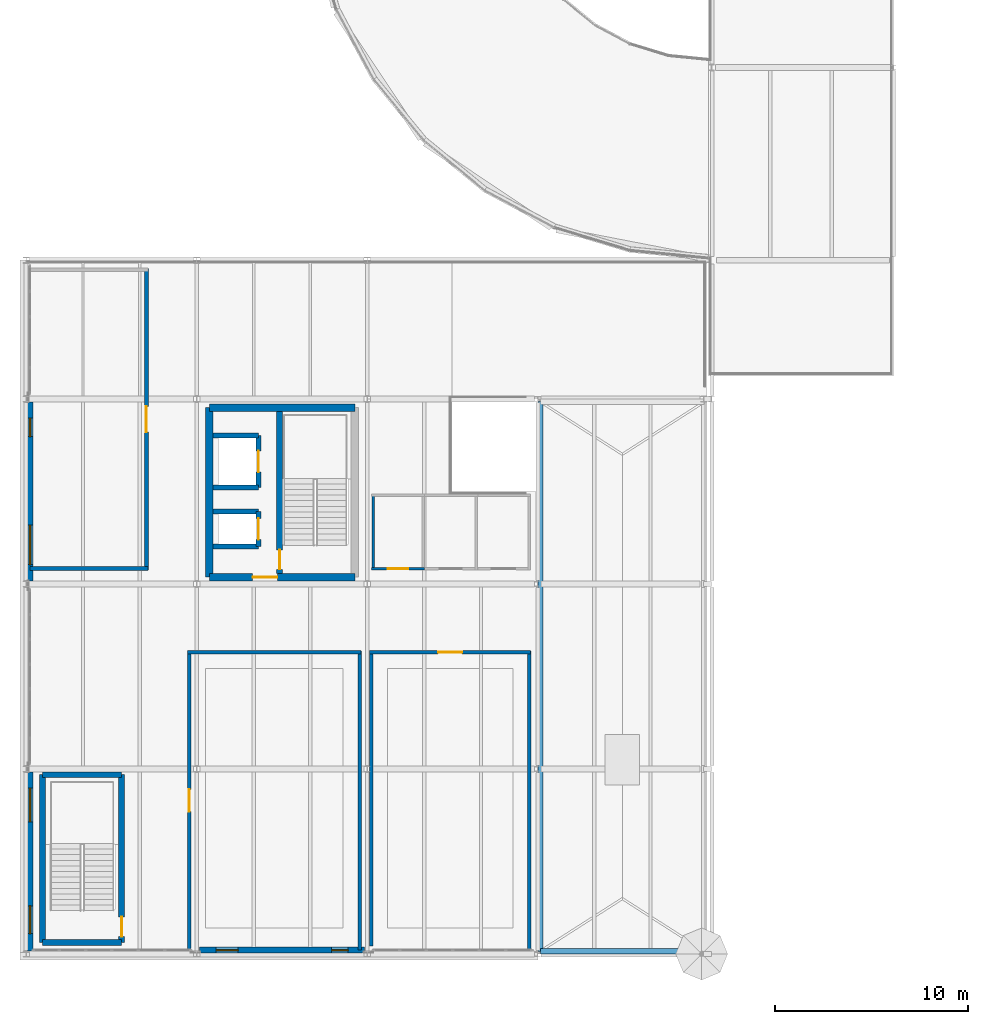
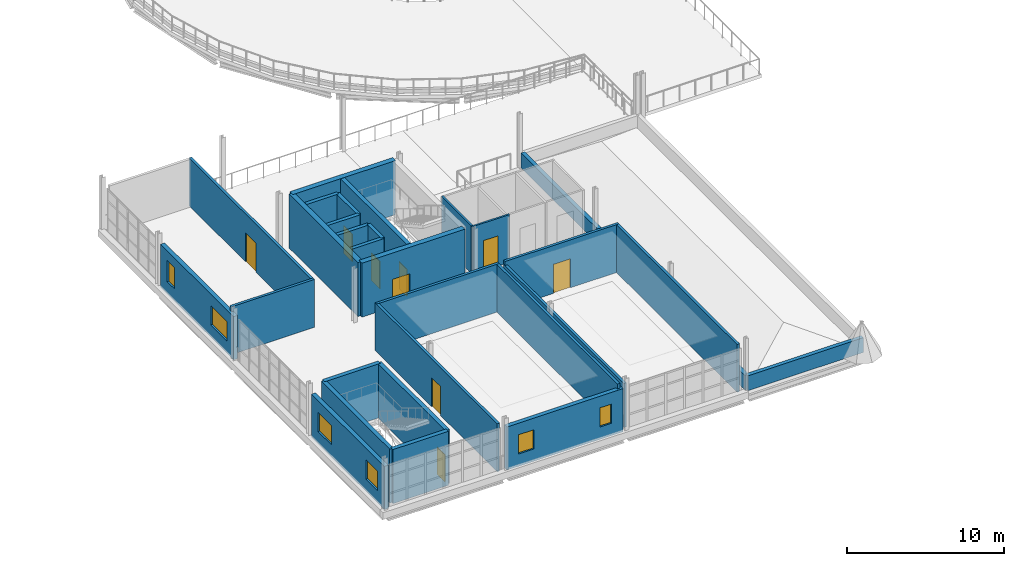
# One storey, part 44 of 58: 29 walls, 9 doors, 6 windows, 15 openings.
"""IFC4 building model written with IfcOpenShell, lengths in metres."""

from ifc_helpers import new_model, si_unit, direction, frame, frame_2d, origin, place, context, subcontext, project, spatial, rectangle, extrude, material, layer, layer_set, type_object, element, fill, save


model = new_model("IFC4")

# Units and contexts
model_context = context("Model", 3, precision=1e-05, world=origin(), true_north=direction((0.0, 1.0)))
body_context = subcontext(model_context, "Body", "Model", "MODEL_VIEW")
ifc_project = project(units=[si_unit("LENGTHUNIT", "METRE"), si_unit("AREAUNIT", "SQUARE_METRE"), si_unit("VOLUMEUNIT", "CUBIC_METRE"), si_unit("PLANEANGLEUNIT", "RADIAN"), si_unit("MASSUNIT", "GRAM", prefix="KILO")], contexts=[model_context])

# Site, building, storey
site_placement = place(None, origin())
site = spatial("IfcSite", under=ifc_project, at=site_placement, CompositionType="ELEMENT")
building_placement = place(site_placement, origin())
building = spatial("IfcBuilding", under=site, at=building_placement, Name="Yeouljin Market Hall", CompositionType="ELEMENT")
storey_placement = place(building_placement, frame((0.0, 0.0, 10.800048828125)))
storey = spatial("IfcBuildingStorey", under=building, at=storey_placement, Name="L02", CompositionType="ELEMENT", Elevation=10.800048828125)

# Wall, opening, door
ifc_material_1 = material(Name="Ceramic-Faced Acoustic Partition")
ifc_layer_1 = layer(ifc_material_1, 0.18994140625)
ifc_layer_set_1 = layer_set([ifc_layer_1], Name="Ceramic-Faced Acoustic Partition")
wall_type_1 = type_object("IfcWallType", Name="Part_KitchenTile_190", PredefinedType="PARTITIONING", material=ifc_layer_set_1)
wall_1_placement = place(storey_placement, frame((8.4599609375, 15.72998046875, 0.0), z_axis=(0.0, 0.0, 1.0), x_axis=(0.0, -1.0, 0.0)))
wall_1 = element("IfcWall", 1, at=wall_1_placement, inside=storey, type_object=wall_type_1, Name="Interior partition PART-L02-0115", PredefinedType="PARTITIONING", context=body_context, shape_type="SweptSolid", body=[
    extrude(rectangle(XDim=15.530029296875, YDim=0.18994140625, at=frame_2d((7.76513671875, 0.0))), origin(), (0.0, 0.0, 1.0), 3.719970703125),
])
opening_1_placement = place(wall_1_placement, frame((7.18505859375, 0.0, 0.0)))
opening_1 = element("IfcOpeningElement", 2, at=opening_1_placement, cuts=wall_1, Name="Opening D-L02-036", PredefinedType="OPENING", context=body_context, shape_type="SweptSolid", body=[
    extrude(rectangle(XDim=1.159912109375, YDim=2.260009765625, at=frame_2d((0.580078125, 1.1298828125))), frame((0.0, 0.10498046875, 0.0), z_axis=(0.0, -1.0, 0.0), x_axis=(1.0, 0.0, 0.0)), (0.0, 0.0, 1.0), 0.2099609375),
])
ifc_material_2 = material(Name="Painted Fire-Rated Steel", Category="steel")
door_type_1 = type_object("IfcDoorType", Name="DT-FD116M", OperationType="NOTDEFINED", PredefinedType="DOOR", material=ifc_material_2)
door_1_placement = place(opening_1_placement, origin())
door_1 = element("IfcDoor", 3, at=door_1_placement, inside=storey, type_object=door_type_1, Name="Interior door D-L02-036 (Culinary Teaching Kitchen West)", OperationType="SINGLE_SWING_RIGHT", OverallHeight=2.260009765625, OverallWidth=1.159912109375, PredefinedType="DOOR", context=body_context, shape_type="SweptSolid", body=[
    extrude(rectangle(XDim=1.159912109375, YDim=2.260009765625, at=frame_2d((0.580078125, 1.1298828125))), frame((0.0, 0.02490234375, 0.0), z_axis=(0.0, -1.0, 0.0), x_axis=(1.0, 0.0, 0.0)), (0.0, 0.0, 1.0), 0.050048828125),
])
fill(opening_1, door_1)

# Walls
wall_2_placement = place(storey_placement, frame((17.3798828125, 15.64990234375, 0.0), z_axis=(0.0, 0.0, 1.0), x_axis=(-1.0, 0.0, 0.0)))
element("IfcWall", 4, at=wall_2_placement, inside=storey, type_object=wall_type_1, Name="Interior partition PART-L02-0116", PredefinedType="PARTITIONING", context=body_context, shape_type="SweptSolid", body=[
    extrude(rectangle(XDim=9.0, YDim=0.18994140625, at=frame_2d((4.5, 0.0))), origin(), (0.0, 0.0, 1.0), 3.719970703125),
])
wall_3_placement = place(storey_placement, frame((17.300048828125, 0.199951171875, 0.0), z_axis=(0.0, 0.0, 1.0), x_axis=(0.0, 1.0, 0.0)))
element("IfcWall", 5, at=wall_3_placement, inside=storey, type_object=wall_type_1, Name="Interior partition PART-L02-0117", PredefinedType="PARTITIONING", context=body_context, shape_type="SweptSolid", body=[
    extrude(rectangle(XDim=15.530029296875, YDim=0.18994140625, at=frame_2d((7.76513671875, 0.0))), origin(), (0.0, 0.0, 1.0), 3.719970703125),
])

# Wall, opening, door
wall_4_placement = place(storey_placement, frame((26.179931640625, 15.64990234375, 0.0), z_axis=(0.0, 0.0, 1.0), x_axis=(-1.0, 0.0, 0.0)))
wall_4 = element("IfcWall", 6, at=wall_4_placement, inside=storey, type_object=wall_type_1, Name="Interior partition PART-L02-0118", PredefinedType="PARTITIONING", context=body_context, shape_type="SweptSolid", body=[
    extrude(rectangle(XDim=8.35986328125, YDim=0.18994140625, at=frame_2d((4.179931640625, 0.0))), origin(), (0.0, 0.0, 1.0), 3.719970703125),
])
opening_2_placement = place(wall_4_placement, frame((3.56005859375, 0.0, 0.0)))
opening_2 = element("IfcOpeningElement", 7, at=opening_2_placement, cuts=wall_4, Name="Opening D-L02-037", PredefinedType="OPENING", context=body_context, shape_type="SweptSolid", body=[
    extrude(rectangle(XDim=1.239990234375, YDim=2.260009765625, at=frame_2d((0.6201171875, 1.1298828125))), frame((0.0, 0.10498046875, 0.0), z_axis=(0.0, -1.0, 0.0), x_axis=(1.0, 0.0, 0.0)), (0.0, 0.0, 1.0), 0.2099609375),
])
ifc_material_3 = material(Name="Painted Fire-Rated Steel", Category="steel")
door_type_2 = type_object("IfcDoorType", Name="DT-FD124M", OperationType="NOTDEFINED", PredefinedType="DOOR", material=ifc_material_3)
door_2_placement = place(opening_2_placement, origin())
door_2 = element("IfcDoor", 8, at=door_2_placement, inside=storey, type_object=door_type_2, Name="Interior door D-L02-037 (Culinary Teaching Kitchen East)", OperationType="SINGLE_SWING_LEFT", OverallHeight=2.260009765625, OverallWidth=1.239990234375, PredefinedType="DOOR", context=body_context, shape_type="SweptSolid", body=[
    extrude(rectangle(XDim=1.239990234375, YDim=2.260009765625, at=frame_2d((0.6201171875, 1.1298828125))), frame((0.0, 0.02490234375, 0.0), z_axis=(0.0, -1.0, 0.0), x_axis=(1.0, 0.0, 0.0)), (0.0, 0.0, 1.0), 0.050048828125),
])
fill(opening_2, door_2)

# Walls
wall_5_placement = place(storey_placement, frame((17.89990234375, 15.72998046875, 0.0), z_axis=(0.0, 0.0, 1.0), x_axis=(0.0, -1.0, 0.0)))
element("IfcWall", 9, at=wall_5_placement, inside=storey, type_object=wall_type_1, Name="Interior partition PART-L02-0119", PredefinedType="PARTITIONING", context=body_context, shape_type="SweptSolid", body=[
    extrude(rectangle(XDim=15.31005859375, YDim=0.18994140625, at=frame_2d((7.655029296875, 0.0))), origin(), (0.0, 0.0, 1.0), 3.4150390625),
])
wall_6_placement = place(storey_placement, frame((26.10009765625, 0.199951171875, 0.0), z_axis=(0.0, 0.0, 1.0), x_axis=(0.0, 1.0, 0.0)))
element("IfcWall", 10, at=wall_6_placement, inside=storey, type_object=wall_type_1, Name="Interior partition PART-L02-0120", PredefinedType="PARTITIONING", context=body_context, shape_type="SweptSolid", body=[
    extrude(rectangle(XDim=15.530029296875, YDim=0.18994140625, at=frame_2d((7.76513671875, 0.0))), origin(), (0.0, 0.0, 1.0), 3.719970703125),
])

# Wall, opening, door
wall_7_placement = place(storey_placement, frame((6.239990234375, 19.919921875, 0.0), z_axis=(0.0, 0.0, 1.0), x_axis=(0.0, 1.0, 0.0)))
wall_7 = element("IfcWall", 11, at=wall_7_placement, inside=storey, type_object=wall_type_1, Name="Interior partition PART-L02-0121", PredefinedType="PARTITIONING", context=body_context, shape_type="SweptSolid", body=[
    extrude(rectangle(XDim=15.66015625, YDim=0.18994140625, at=frame_2d((7.830078125, 0.0))), origin(), (0.0, 0.0, 1.0), 3.719970703125),
])
opening_3_placement = place(wall_7_placement, frame((7.159912109375, 0.0, 0.0)))
opening_3 = element("IfcOpeningElement", 12, at=opening_3_placement, cuts=wall_7, Name="Opening D-L02-038", PredefinedType="OPENING", context=body_context, shape_type="SweptSolid", body=[
    extrude(rectangle(XDim=1.340087890625, YDim=2.260009765625, at=frame_2d((0.669921875, 1.1298828125))), frame((0.0, 0.10498046875, 0.0), z_axis=(0.0, -1.0, 0.0), x_axis=(1.0, 0.0, 0.0)), (0.0, 0.0, 1.0), 0.2099609375),
])
ifc_material_4 = material(Name="Painted Fire-Rated Steel", Category="steel")
door_type_3 = type_object("IfcDoorType", Name="DT-FD134M", OperationType="NOTDEFINED", PredefinedType="DOOR", material=ifc_material_4)
door_3_placement = place(opening_3_placement, origin())
door_3 = element("IfcDoor", 13, at=door_3_placement, inside=storey, type_object=door_type_3, Name="Interior door D-L02-038 (Artisan Pastry Workshop)", OperationType="SINGLE_SWING_RIGHT", OverallHeight=2.260009765625, OverallWidth=1.340087890625, PredefinedType="DOOR", context=body_context, shape_type="SweptSolid", body=[
    extrude(rectangle(XDim=1.340087890625, YDim=2.260009765625, at=frame_2d((0.669921875, 1.1298828125))), frame((0.0, 0.02490234375, 0.0), z_axis=(0.0, -1.0, 0.0), x_axis=(1.0, 0.0, 0.0)), (0.0, 0.0, 1.0), 0.050048828125),
])
fill(opening_3, door_3)

# Wall
wall_8_placement = place(storey_placement, frame((0.199951171875, 20.0, 0.0), z_axis=(0.0, 0.0, 1.0), x_axis=(1.0, 0.0, 0.0)))
element("IfcWall", 14, at=wall_8_placement, inside=storey, type_object=wall_type_1, Name="Interior partition PART-L02-0122", PredefinedType="PARTITIONING", context=body_context, shape_type="SweptSolid", body=[
    extrude(rectangle(XDim=6.1201171875, YDim=0.18994140625, at=frame_2d((3.06005859375, 0.0))), origin(), (0.0, 0.0, 1.0), 3.719970703125),
])

# Wall, opening, door
ifc_material_5 = material(Name="Moisture-Resistant Gypsum Partition")
ifc_layer_2 = layer(ifc_material_5, 0.1298828125)
ifc_layer_set_2 = layer_set([ifc_layer_2], Name="Moisture-Resistant Gypsum Partition")
wall_type_2 = type_object("IfcWallType", Name="Part_Sanitary_130", PredefinedType="PARTITIONING", material=ifc_layer_set_2)
wall_9_placement = place(storey_placement, frame((17.919921875, 20.0, 0.0), z_axis=(0.0, 0.0, 1.0), x_axis=(1.0, 0.0, 0.0)))
wall_9 = element("IfcWall", 15, at=wall_9_placement, inside=storey, type_object=wall_type_2, Name="Interior partition PART-L02-0105", PredefinedType="PARTITIONING", context=body_context, shape_type="SweptSolid", body=[
    extrude(rectangle(XDim=2.760009765625, YDim=0.1298828125, at=frame_2d((1.3798828125, 0.0))), origin(), (0.0, 0.0, 1.0), 3.719970703125),
])
opening_4_placement = place(wall_9_placement, frame((0.85009765625, 0.0, 0.0)))
opening_4 = element("IfcOpeningElement", 16, at=opening_4_placement, cuts=wall_9, Name="Opening D-L02-033", PredefinedType="OPENING", context=body_context, shape_type="SweptSolid", body=[
    extrude(rectangle(XDim=1.06005859375, YDim=2.360107421875, at=frame_2d((0.530029296875, 1.18017578125))), frame((0.0, 0.074951171875, 0.0), z_axis=(0.0, -1.0, 0.0), x_axis=(1.0, 0.0, 0.0)), (0.0, 0.0, 1.0), 0.14990234375),
])
ifc_material_6 = material(Name="Acoustic Timber Veneer", Category="wood")
door_type_4 = type_object("IfcDoorType", Name="DT-ID106T", OperationType="NOTDEFINED", PredefinedType="DOOR", material=ifc_material_6)
door_4_placement = place(opening_4_placement, origin())
door_4 = element("IfcDoor", 17, at=door_4_placement, inside=storey, type_object=door_type_4, Name="Interior door D-L02-033 (Male WC)", OperationType="SINGLE_SWING_LEFT", OverallHeight=2.360107421875, OverallWidth=1.06005859375, PredefinedType="DOOR", context=body_context, shape_type="SweptSolid", body=[
    extrude(rectangle(XDim=1.06005859375, YDim=2.360107421875, at=frame_2d((0.530029296875, 1.18017578125))), frame((0.0, 0.02490234375, 0.0), z_axis=(0.0, -1.0, 0.0), x_axis=(1.0, 0.0, 0.0)), (0.0, 0.0, 1.0), 0.050048828125),
])
fill(opening_4, door_4)

# Wall
wall_10_placement = place(storey_placement, frame((18.0, 23.8798828125, 0.0), z_axis=(0.0, 0.0, 1.0), x_axis=(0.0, -1.0, 0.0)))
element("IfcWall", 18, at=wall_10_placement, inside=storey, type_object=wall_type_2, Name="Interior partition PART-L02-0108", PredefinedType="PARTITIONING", context=body_context, shape_type="SweptSolid", body=[
    extrude(rectangle(XDim=3.9599609375, YDim=0.1298828125, at=frame_2d((1.97998046875, 0.0))), origin(), (0.0, 0.0, 1.0), 3.719970703125),
])

# Wall, opening, door
ifc_material_7 = material(Name="Concrete C35/45", Category="concrete")
ifc_layer_3 = layer(ifc_material_7, 0.260009765625)
ifc_layer_set_3 = layer_set([ifc_layer_3], Name="Concrete C35/45")
wall_type_3 = type_object("IfcWallType", Name="Wall_Compartment_260", PredefinedType="SHEAR", material=ifc_layer_set_3)
wall_11_placement = place(storey_placement, frame((12.054931640625, 21.14990234375, 0.0), z_axis=(0.0, 0.0, 1.0), x_axis=(0.0, 1.0, 0.0)))
wall_11 = element("IfcWall", 19, at=wall_11_placement, inside=storey, type_object=wall_type_3, Name="Lift LP-01 hoistway front wall (L02)", PredefinedType="SHEAR", context=body_context, shape_type="SweptSolid", body=[
    extrude(rectangle(XDim=1.800048828125, YDim=0.260009765625, at=frame_2d((0.89990234375, 0.0))), origin(), (0.0, 0.0, 1.0), 4.199951171875),
])
opening_5_placement = place(wall_11_placement, frame((0.35009765625, 0.0, 0.0)))
opening_5 = element("IfcOpeningElement", 20, at=opening_5_placement, cuts=wall_11, Name="Opening LD-LP-01-L02", PredefinedType="OPENING", context=body_context, shape_type="SweptSolid", body=[
    extrude(rectangle(XDim=1.10009765625, YDim=2.14990234375, at=frame_2d((0.550048828125, 1.074951171875))), frame((0.0, 0.139892578125, 0.0), z_axis=(0.0, -1.0, 0.0), x_axis=(1.0, 0.0, 0.0)), (0.0, 0.0, 1.0), 0.280029296875),
])
ifc_material_8 = material(Name="Brushed Stainless Steel", Category="steel")
door_type_5 = type_object("IfcDoorType", Name="LD-110", OperationType="SLIDING_TO_LEFT", PredefinedType="DOOR", material=ifc_material_8)
door_5_placement = place(opening_5_placement, origin())
door_5 = element("IfcDoor", 21, at=door_5_placement, inside=storey, type_object=door_type_5, Name="Lift landing sliding door LD-LP-01-L02", OperationType="SLIDING_TO_LEFT", OverallHeight=2.14990234375, OverallWidth=1.10009765625, PredefinedType="DOOR", context=body_context, shape_type="SweptSolid", body=[
    extrude(rectangle(XDim=1.10009765625, YDim=2.14990234375, at=frame_2d((0.550048828125, 1.074951171875))), frame((0.0, 0.02490234375, 0.0), z_axis=(0.0, -1.0, 0.0), x_axis=(1.0, 0.0, 0.0)), (0.0, 0.0, 1.0), 0.050048828125),
])
fill(opening_5, door_5)

# Walls
for number, where, z_axis, x_axis, name in (
    (22, (9.699951171875, 21.14990234375, 0.0), (0.0, 0.0, 1.0), (1.0, 0.0, 0.0), "Lift LP-01 shaft cheek wall S (L02)"),
    (23, (9.699951171875, 22.949951171875, 0.0), (0.0, 0.0, 1.0), (1.0, 0.0, 0.0), "Lift LP-01 shaft cheek wall N (L02)"),
):
    element("IfcWall", number, at=place(storey_placement, frame(where, z_axis=z_axis, x_axis=x_axis)), inside=storey, type_object=wall_type_3, Name=name, PredefinedType="SHEAR", context=body_context, shape_type="SweptSolid", body=[
        extrude(rectangle(XDim=2.35498046875, YDim=0.260009765625, at=frame_2d((1.177490234375, 0.0))), origin(), (0.0, 0.0, 1.0), 4.199951171875),
    ])

# Wall, opening, door
wall_12_placement = place(storey_placement, frame((12.054931640625, 24.199951171875, 0.0), z_axis=(0.0, 0.0, 1.0), x_axis=(0.0, 1.0, 0.0)))
wall_12 = element("IfcWall", 24, at=wall_12_placement, inside=storey, type_object=wall_type_3, Name="Lift LS-01 hoistway front wall (L02)", PredefinedType="SHEAR", context=body_context, shape_type="SweptSolid", body=[
    extrude(rectangle(XDim=2.699951171875, YDim=0.260009765625, at=frame_2d((1.35009765625, 0.0))), origin(), (0.0, 0.0, 1.0), 4.199951171875),
])
opening_6_placement = place(wall_12_placement, frame((0.800048828125, 0.0, 0.0)))
opening_6 = element("IfcOpeningElement", 25, at=opening_6_placement, cuts=wall_12, Name="Opening LD-LS-01-L02", PredefinedType="OPENING", context=body_context, shape_type="SweptSolid", body=[
    extrude(rectangle(XDim=1.10009765625, YDim=2.14990234375, at=frame_2d((0.550048828125, 1.074951171875))), frame((0.0, 0.139892578125, 0.0), z_axis=(0.0, -1.0, 0.0), x_axis=(1.0, 0.0, 0.0)), (0.0, 0.0, 1.0), 0.280029296875),
])
door_6_placement = place(opening_6_placement, origin())
door_6 = element("IfcDoor", 26, at=door_6_placement, inside=storey, type_object=door_type_5, Name="Lift landing sliding door LD-LS-01-L02", OperationType="SLIDING_TO_LEFT", OverallHeight=2.14990234375, OverallWidth=1.10009765625, PredefinedType="DOOR", context=body_context, shape_type="SweptSolid", body=[
    extrude(rectangle(XDim=1.10009765625, YDim=2.14990234375, at=frame_2d((0.550048828125, 1.074951171875))), frame((0.0, 0.02490234375, 0.0), z_axis=(0.0, -1.0, 0.0), x_axis=(1.0, 0.0, 0.0)), (0.0, 0.0, 1.0), 0.050048828125),
])
fill(opening_6, door_6)

# Walls
for number, where, z_axis, x_axis, name in (
    (27, (9.699951171875, 24.199951171875, 0.0), (0.0, 0.0, 1.0), (1.0, 0.0, 0.0), "Lift LS-01 shaft cheek wall S (L02)"),
    (28, (9.699951171875, 26.89990234375, 0.0), (0.0, 0.0, 1.0), (1.0, 0.0, 0.0), "Lift LS-01 shaft cheek wall N (L02)"),
):
    element("IfcWall", number, at=place(storey_placement, frame(where, z_axis=z_axis, x_axis=x_axis)), inside=storey, type_object=wall_type_3, Name=name, PredefinedType="SHEAR", context=body_context, shape_type="SweptSolid", body=[
        extrude(rectangle(XDim=2.35498046875, YDim=0.260009765625, at=frame_2d((1.177490234375, 0.0))), origin(), (0.0, 0.0, 1.0), 4.199951171875),
    ])

# Wall, opening, door
ifc_material_9 = material(Name="Concrete C35/45", Category="concrete")
ifc_layer_4 = layer(ifc_material_9, 0.3798828125)
ifc_layer_set_4 = layer_set([ifc_layer_4], Name="Concrete C35/45")
wall_type_4 = type_object("IfcWallType", Name="Wall_CoreShear_380", PredefinedType="SHEAR", material=ifc_layer_set_4)
wall_13_placement = place(storey_placement, frame((9.5, 19.550048828125, 0.0), z_axis=(0.0, 0.0, 1.0), x_axis=(1.0, 0.0, 0.0)))
wall_13 = element("IfcWall", 29, at=wall_13_placement, inside=storey, type_object=wall_type_4, Name="Core C1 south shear wall (L02)", PredefinedType="SHEAR", context=body_context, shape_type="SweptSolid", body=[
    extrude(rectangle(XDim=7.550048828125, YDim=0.3798828125, at=frame_2d((3.77490234375, 0.0))), origin(), (0.0, 0.0, 1.0), 4.199951171875),
])
opening_7_placement = place(wall_13_placement, frame((2.25, 0.0, 0.0)))
opening_7 = element("IfcOpeningElement", 30, at=opening_7_placement, cuts=wall_13, Name="Opening FD-C1-L02-01", PredefinedType="OPENING", context=body_context, shape_type="SweptSolid", body=[
    extrude(rectangle(XDim=1.280029296875, YDim=2.14990234375, at=frame_2d((0.64013671875, 1.074951171875))), frame((0.0, 0.199951171875, 0.0), z_axis=(0.0, -1.0, 0.0), x_axis=(1.0, 0.0, 0.0)), (0.0, 0.0, 1.0), 0.39990234375),
])
ifc_material_10 = material(Name="Painted Fire-Rated Steel", Category="steel")
door_type_6 = type_object("IfcDoorType", Name="DT-FD128", OperationType="NOTDEFINED", PredefinedType="DOOR", material=ifc_material_10)
door_7_placement = place(opening_7_placement, origin())
door_7 = element("IfcDoor", 31, at=door_7_placement, inside=storey, type_object=door_type_6, Name="Core C1 lobby fire door (L02)", OperationType="SINGLE_SWING_LEFT", OverallHeight=2.14990234375, OverallWidth=1.280029296875, PredefinedType="DOOR", context=body_context, shape_type="SweptSolid", body=[
    extrude(rectangle(XDim=1.280029296875, YDim=2.14990234375, at=frame_2d((0.64013671875, 1.074951171875))), frame((0.0, 0.02490234375, 0.0), z_axis=(0.0, -1.0, 0.0), x_axis=(1.0, 0.0, 0.0)), (0.0, 0.0, 1.0), 0.050048828125),
])
fill(opening_7, door_7)

# Walls
wall_14_placement = place(storey_placement, frame((17.050048828125, 28.35009765625, 0.0), z_axis=(0.0, 0.0, 1.0), x_axis=(-1.0, 0.0, 0.0)))
element("IfcWall", 32, at=wall_14_placement, inside=storey, type_object=wall_type_4, Name="Core C1 north shear wall (L02)", PredefinedType="SHEAR", context=body_context, shape_type="SweptSolid", body=[
    extrude(rectangle(XDim=7.550048828125, YDim=0.3798828125, at=frame_2d((3.77490234375, 0.0))), origin(), (0.0, 0.0, 1.0), 4.199951171875),
])
wall_15_placement = place(storey_placement, frame((9.5, 28.35009765625, 0.0), z_axis=(0.0, 0.0, 1.0), x_axis=(0.0, -1.0, 0.0)))
element("IfcWall", 33, at=wall_15_placement, inside=storey, type_object=wall_type_4, Name="Core C1 west shear wall (L02)", PredefinedType="SHEAR", context=body_context, shape_type="SweptSolid", body=[
    extrude(rectangle(XDim=8.800048828125, YDim=0.3798828125, at=frame_2d((4.39990234375, 0.0))), origin(), (0.0, 0.0, 1.0), 4.199951171875),
])

# Wall, openings, windows
ifc_material_11 = material(Name="Clinker Brick Masonry F2-S2", Category="masonry")
ifc_layer_5 = layer(ifc_material_11, 0.31005859375)
ifc_layer_set_5 = layer_set([ifc_layer_5], Name="Clinker Brick Masonry F2-S2")
wall_type_5 = type_object("IfcWallType", Name="Wall_Ext_ClinkerSawtooth_310", PredefinedType="SOLIDWALL", material=ifc_layer_set_5)
wall_16_placement = place(storey_placement, frame((17.5439453125, 0.199951171875, 0.0), z_axis=(0.0, 0.0, 1.0), x_axis=(-1.0, 0.0, 0.0)))
wall_16 = element("IfcWall", 34, at=wall_16_placement, inside=storey, type_object=wall_type_5, Name="Exterior wall WE-L02-B02", PredefinedType="SOLIDWALL", context=body_context, shape_type="SweptSolid", body=[
    extrude(rectangle(XDim=8.537841796875, YDim=0.31005859375, at=frame_2d((4.26904296875, 0.0))), origin(), (0.0, 0.0, 1.0), 3.349853515625),
])
opening_8_placement = place(wall_16_placement, frame((0.843994140625, 0.0, 0.949951171875)))
opening_8 = element("IfcOpeningElement", 35, at=opening_8_placement, cuts=wall_16, Name="Opening WN-31", PredefinedType="OPENING", context=body_context, shape_type="SweptSolid", body=[
    extrude(rectangle(XDim=0.85009765625, YDim=1.5, at=frame_2d((0.425048828125, 0.75))), frame((0.0, 0.1650390625, 0.0), z_axis=(0.0, -1.0, 0.0), x_axis=(1.0, 0.0, 0.0)), (0.0, 0.0, 1.0), 0.330078125),
])
opening_9_placement = place(wall_16_placement, frame((6.5439453125, 0.0, 0.949951171875)))
opening_9 = element("IfcOpeningElement", 36, at=opening_9_placement, cuts=wall_16, Name="Opening WN-32", PredefinedType="OPENING", context=body_context, shape_type="SweptSolid", body=[
    extrude(rectangle(XDim=1.14990234375, YDim=1.5, at=frame_2d((0.574951171875, 0.75))), frame((0.0, 0.1650390625, 0.0), z_axis=(0.0, -1.0, 0.0), x_axis=(1.0, 0.0, 0.0)), (0.0, 0.0, 1.0), 0.330078125),
])
ifc_material_12 = material(Name="Low-E Insulated Glass", Category="glass")
window_type_1 = type_object("IfcWindowType", Name="Win_Ladder_1150x1500", PartitioningType="DOUBLE_PANEL_HORIZONTAL", PredefinedType="WINDOW", material=ifc_material_12)
window_1_placement = place(opening_9_placement, origin())
window_1 = element("IfcWindow", 37, at=window_1_placement, inside=storey, type_object=window_type_1, Name="Exterior window WIN-L02-B02B", OverallHeight=1.5, OverallWidth=1.14990234375, PartitioningType="SINGLE_PANEL", PredefinedType="WINDOW", context=body_context, shape_type="SweptSolid", body=[
    extrude(rectangle(XDim=1.14990234375, YDim=1.5, at=frame_2d((0.574951171875, 0.75))), frame((0.0, 0.030029296875, 0.0), z_axis=(0.0, -1.0, 0.0), x_axis=(1.0, 0.0, 0.0)), (0.0, 0.0, 1.0), 0.06005859375),
])
fill(opening_9, window_1)
ifc_material_13 = material(Name="Low-E Insulated Glass", Category="glass")
window_type_2 = type_object("IfcWindowType", Name="Win_Ladder_850x1500", PartitioningType="DOUBLE_PANEL_HORIZONTAL", PredefinedType="WINDOW", material=ifc_material_13)
window_2_placement = place(opening_8_placement, origin())
window_2 = element("IfcWindow", 38, at=window_2_placement, inside=storey, type_object=window_type_2, Name="Exterior window WIN-L02-B02A", OverallHeight=1.5, OverallWidth=0.85009765625, PartitioningType="SINGLE_PANEL", PredefinedType="WINDOW", context=body_context, shape_type="SweptSolid", body=[
    extrude(rectangle(XDim=0.85009765625, YDim=1.5, at=frame_2d((0.425048828125, 0.75))), frame((0.0, 0.030029296875, 0.0), z_axis=(0.0, -1.0, 0.0), x_axis=(1.0, 0.0, 0.0)), (0.0, 0.0, 1.0), 0.06005859375),
])
fill(opening_8, window_2)

wall_17_placement = place(storey_placement, frame((0.199951171875, 0.157958984375, 0.0), z_axis=(0.0, 0.0, 1.0), x_axis=(0.0, 1.0, 0.0)))
wall_17 = element("IfcWall", 39, at=wall_17_placement, inside=storey, type_object=wall_type_5, Name="Exterior wall WE-L02-B04", PredefinedType="SOLIDWALL", context=body_context, shape_type="SweptSolid", body=[
    extrude(rectangle(XDim=9.283935546875, YDim=0.31005859375, at=frame_2d((4.64208984375, 0.0))), origin(), (0.0, 0.0, 1.0), 3.349853515625),
])
opening_10_placement = place(wall_17_placement, frame((0.89208984375, 0.0, 0.949951171875)))
opening_10 = element("IfcOpeningElement", 40, at=opening_10_placement, cuts=wall_17, Name="Opening WN-33", PredefinedType="OPENING", context=body_context, shape_type="SweptSolid", body=[
    extrude(rectangle(XDim=1.449951171875, YDim=1.5, at=frame_2d((0.72509765625, 0.75))), frame((0.0, 0.1650390625, 0.0), z_axis=(0.0, -1.0, 0.0), x_axis=(1.0, 0.0, 0.0)), (0.0, 0.0, 1.0), 0.330078125),
])
opening_11_placement = place(wall_17_placement, frame((6.69189453125, 0.0, 0.949951171875)))
opening_11 = element("IfcOpeningElement", 41, at=opening_11_placement, cuts=wall_17, Name="Opening WN-34", PredefinedType="OPENING", context=body_context, shape_type="SweptSolid", body=[
    extrude(rectangle(XDim=1.75, YDim=1.5, at=frame_2d((0.875, 0.75))), frame((0.0, 0.1650390625, 0.0), z_axis=(0.0, -1.0, 0.0), x_axis=(1.0, 0.0, 0.0)), (0.0, 0.0, 1.0), 0.330078125),
])
ifc_material_14 = material(Name="Low-E Insulated Glass", Category="glass")
window_type_3 = type_object("IfcWindowType", Name="Win_Ladder_1450x1500", PartitioningType="DOUBLE_PANEL_HORIZONTAL", PredefinedType="WINDOW", material=ifc_material_14)
window_3_placement = place(opening_10_placement, origin())
window_3 = element("IfcWindow", 42, at=window_3_placement, inside=storey, type_object=window_type_3, Name="Exterior window WIN-L02-B04A", OverallHeight=1.5, OverallWidth=1.449951171875, PartitioningType="SINGLE_PANEL", PredefinedType="WINDOW", context=body_context, shape_type="SweptSolid", body=[
    extrude(rectangle(XDim=1.449951171875, YDim=1.5, at=frame_2d((0.72509765625, 0.75))), frame((0.0, 0.030029296875, 0.0), z_axis=(0.0, -1.0, 0.0), x_axis=(1.0, 0.0, 0.0)), (0.0, 0.0, 1.0), 0.06005859375),
])
fill(opening_10, window_3)
ifc_material_15 = material(Name="Low-E Insulated Glass", Category="glass")
window_type_4 = type_object("IfcWindowType", Name="Win_Ladder_1750x1500", PartitioningType="DOUBLE_PANEL_HORIZONTAL", PredefinedType="WINDOW", material=ifc_material_15)
window_4_placement = place(opening_11_placement, origin())
window_4 = element("IfcWindow", 43, at=window_4_placement, inside=storey, type_object=window_type_4, Name="Exterior window WIN-L02-B04B", OverallHeight=1.5, OverallWidth=1.75, PartitioningType="SINGLE_PANEL", PredefinedType="WINDOW", context=body_context, shape_type="SweptSolid", body=[
    extrude(rectangle(XDim=1.75, YDim=1.5, at=frame_2d((0.875, 0.75))), frame((0.0, 0.030029296875, 0.0), z_axis=(0.0, -1.0, 0.0), x_axis=(1.0, 0.0, 0.0)), (0.0, 0.0, 1.0), 0.06005859375),
])
fill(opening_11, window_4)

wall_18_placement = place(storey_placement, frame((0.199951171875, 19.35595703125, 0.0), z_axis=(0.0, 0.0, 1.0), x_axis=(0.0, 1.0, 0.0)))
wall_18 = element("IfcWall", 44, at=wall_18_placement, inside=storey, type_object=wall_type_5, Name="Exterior wall WE-L02-B06", PredefinedType="SOLIDWALL", context=body_context, shape_type="SweptSolid", body=[
    extrude(rectangle(XDim=9.2880859375, YDim=0.31005859375, at=frame_2d((4.64404296875, 0.0))), origin(), (0.0, 0.0, 1.0), 3.349853515625),
])
opening_12_placement = place(wall_18_placement, frame((0.843994140625, 0.0, 0.949951171875)))
opening_12 = element("IfcOpeningElement", 45, at=opening_12_placement, cuts=wall_18, Name="Opening WN-35", PredefinedType="OPENING", context=body_context, shape_type="SweptSolid", body=[
    extrude(rectangle(XDim=2.050048828125, YDim=1.5, at=frame_2d((1.02490234375, 0.75))), frame((0.0, 0.1650390625, 0.0), z_axis=(0.0, -1.0, 0.0), x_axis=(1.0, 0.0, 0.0)), (0.0, 0.0, 1.0), 0.330078125),
])
opening_13_placement = place(wall_18_placement, frame((7.493896484375, 0.0, 0.949951171875)))
opening_13 = element("IfcOpeningElement", 46, at=opening_13_placement, cuts=wall_18, Name="Opening WN-39", PredefinedType="OPENING", context=body_context, shape_type="SweptSolid", body=[
    extrude(rectangle(XDim=0.949951171875, YDim=1.64990234375, at=frame_2d((0.47509765625, 0.824951171875))), frame((0.0, 0.1650390625, 0.0), z_axis=(0.0, -1.0, 0.0), x_axis=(1.0, 0.0, 0.0)), (0.0, 0.0, 1.0), 0.330078125),
])
ifc_material_16 = material(Name="Low-E Insulated Glass", Category="glass")
window_type_5 = type_object("IfcWindowType", Name="Win_Ladder_2050x1500", PartitioningType="TRIPLE_PANEL_VERTICAL", PredefinedType="WINDOW", material=ifc_material_16)
window_5_placement = place(opening_12_placement, origin())
window_5 = element("IfcWindow", 47, at=window_5_placement, inside=storey, type_object=window_type_5, Name="Exterior window WIN-L02-B06A", OverallHeight=1.5, OverallWidth=2.050048828125, PartitioningType="SINGLE_PANEL", PredefinedType="WINDOW", context=body_context, shape_type="SweptSolid", body=[
    extrude(rectangle(XDim=2.050048828125, YDim=1.5, at=frame_2d((1.02490234375, 0.75))), frame((0.0, 0.030029296875, 0.0), z_axis=(0.0, -1.0, 0.0), x_axis=(1.0, 0.0, 0.0)), (0.0, 0.0, 1.0), 0.06005859375),
])
fill(opening_12, window_5)
ifc_material_17 = material(Name="Low-E Insulated Glass", Category="glass")
window_type_6 = type_object("IfcWindowType", Name="Win_Ladder_950x1650", PartitioningType="DOUBLE_PANEL_HORIZONTAL", PredefinedType="WINDOW", material=ifc_material_17)
window_6_placement = place(opening_13_placement, origin())
window_6 = element("IfcWindow", 48, at=window_6_placement, inside=storey, type_object=window_type_6, Name="Exterior window WIN-L02-B06B", OverallHeight=1.64990234375, OverallWidth=0.949951171875, PartitioningType="SINGLE_PANEL", PredefinedType="WINDOW", context=body_context, shape_type="SweptSolid", body=[
    extrude(rectangle(XDim=0.949951171875, YDim=1.64990234375, at=frame_2d((0.47509765625, 0.824951171875))), frame((0.0, 0.030029296875, 0.0), z_axis=(0.0, -1.0, 0.0), x_axis=(1.0, 0.0, 0.0)), (0.0, 0.0, 1.0), 0.06005859375),
])
fill(opening_13, window_6)

# Walls
ifc_material_18 = material(Name="Clinker Brick Masonry F2-S2", Category="masonry")
ifc_layer_6 = layer(ifc_material_18, 0.280029296875)
ifc_layer_set_6 = layer_set([ifc_layer_6], Name="Clinker Brick Masonry F2-S2")
wall_type_6 = type_object("IfcWallType", Name="Wall_Parapet_Clinker_280", PredefinedType="PARAPET", material=ifc_layer_set_6)
wall_19_placement = place(storey_placement, frame((26.68994140625, 0.139892578125, 0.010009765625), z_axis=(0.0, 0.0, 1.0), x_axis=(1.0, 0.0, 0.0)))
element("IfcWall", 49, at=wall_19_placement, inside=storey, type_object=wall_type_6, Name="Roof parapet RSLB-V2-L02S-1", PredefinedType="PARAPET", context=body_context, shape_type="SweptSolid", body=[
    extrude(rectangle(XDim=8.489990234375, YDim=0.280029296875, at=frame_2d((4.2451171875, 0.0))), origin(), (0.0, 0.0, 1.0), 1.14990234375),
])
wall_20_placement = place(storey_placement, frame((26.68994140625, 28.659912109375, 0.010009765625), z_axis=(0.0, 0.0, 1.0), x_axis=(0.0, -1.0, 0.0)))
element("IfcWall", 50, at=wall_20_placement, inside=storey, type_object=wall_type_6, Name="Roof parapet RSLB-V2-L02S-4", PredefinedType="PARAPET", context=body_context, shape_type="SweptSolid", body=[
    extrude(rectangle(XDim=28.52001953125, YDim=0.280029296875, at=frame_2d((14.260009765625, 0.0))), origin(), (0.0, 0.0, 1.0), 1.14990234375),
])

# Wall, opening, door
ifc_material_19 = material(Name="Concrete C35/45", Category="concrete")
ifc_layer_7 = layer(ifc_material_19, 0.300048828125)
ifc_layer_set_7 = layer_set([ifc_layer_7], Name="Concrete C35/45")
wall_type_7 = type_object("IfcWallType", Name="Wall_ShaftShear_300", PredefinedType="SHEAR", material=ifc_layer_set_7)
wall_21_placement = place(storey_placement, frame((13.14990234375, 19.75, 0.0), z_axis=(0.0, 0.0, 1.0), x_axis=(0.0, 1.0, 0.0)))
wall_21 = element("IfcWall", 51, at=wall_21_placement, inside=storey, type_object=wall_type_7, Name="Core C1 stairwell divider wall (L02)", PredefinedType="SHEAR", context=body_context, shape_type="SweptSolid", body=[
    extrude(rectangle(XDim=8.39990234375, YDim=0.300048828125, at=frame_2d((4.199951171875, 0.0))), origin(), (0.0, 0.0, 1.0), 4.199951171875),
])
opening_14_placement = place(wall_21_placement, frame((0.199951171875, 0.0, 0.0)))
opening_14 = element("IfcOpeningElement", 52, at=opening_14_placement, cuts=wall_21, Name="Opening SD-C1-L02", PredefinedType="OPENING", context=body_context, shape_type="SweptSolid", body=[
    extrude(rectangle(XDim=1.02001953125, YDim=2.10009765625, at=frame_2d((0.510009765625, 1.050048828125))), frame((0.0, 0.159912109375, 0.0), z_axis=(0.0, -1.0, 0.0), x_axis=(1.0, 0.0, 0.0)), (0.0, 0.0, 1.0), 0.320068359375),
])
ifc_material_20 = material(Name="Painted Fire-Rated Steel", Category="steel")
door_type_7 = type_object("IfcDoorType", Name="DT-FD102", OperationType="NOTDEFINED", PredefinedType="DOOR", material=ifc_material_20)
door_8_placement = place(opening_14_placement, origin())
door_8 = element("IfcDoor", 53, at=door_8_placement, inside=storey, type_object=door_type_7, Name="Core C1 exit stair door (L02)", OperationType="SINGLE_SWING_RIGHT", OverallHeight=2.10009765625, OverallWidth=1.02001953125, PredefinedType="DOOR", context=body_context, shape_type="SweptSolid", body=[
    extrude(rectangle(XDim=1.02001953125, YDim=2.10009765625, at=frame_2d((0.510009765625, 1.050048828125))), frame((0.0, 0.02490234375, 0.0), z_axis=(0.0, -1.0, 0.0), x_axis=(1.0, 0.0, 0.0)), (0.0, 0.0, 1.0), 0.050048828125),
])
fill(opening_14, door_8)

# Walls
for number, where, z_axis, x_axis, name in (
    (54, (0.85009765625, 0.60009765625, 0.0), (0.0, 0.0, 1.0), (1.0, 0.0, 0.0), "Core S7 south shear wall (L02)"),
    (55, (4.949951171875, 9.300048828125, 0.0), (0.0, 0.0, 1.0), (-1.0, 0.0, 0.0), "Core S7 north shear wall (L02)"),
):
    element("IfcWall", number, at=place(storey_placement, frame(where, z_axis=z_axis, x_axis=x_axis)), inside=storey, type_object=wall_type_7, Name=name, PredefinedType="SHEAR", context=body_context, shape_type="SweptSolid", body=[
        extrude(rectangle(XDim=4.099853515625, YDim=0.300048828125, at=frame_2d((2.0498046875, 0.0))), origin(), (0.0, 0.0, 1.0), 4.199951171875),
    ])
wall_22_placement = place(storey_placement, frame((0.85009765625, 9.300048828125, 0.0), z_axis=(0.0, 0.0, 1.0), x_axis=(0.0, -1.0, 0.0)))
element("IfcWall", 56, at=wall_22_placement, inside=storey, type_object=wall_type_7, Name="Core S7 west shear wall (L02)", PredefinedType="SHEAR", context=body_context, shape_type="SweptSolid", body=[
    extrude(rectangle(XDim=8.699951171875, YDim=0.300048828125, at=frame_2d((4.35009765625, 0.0))), origin(), (0.0, 0.0, 1.0), 4.199951171875),
])

# Wall, opening, door
wall_23_placement = place(storey_placement, frame((4.949951171875, 0.60009765625, 0.0), z_axis=(0.0, 0.0, 1.0), x_axis=(0.0, 1.0, 0.0)))
wall_23 = element("IfcWall", 57, at=wall_23_placement, inside=storey, type_object=wall_type_7, Name="Core S7 east shear wall (L02)", PredefinedType="SHEAR", context=body_context, shape_type="SweptSolid", body=[
    extrude(rectangle(XDim=8.699951171875, YDim=0.300048828125, at=frame_2d((4.35009765625, 0.0))), origin(), (0.0, 0.0, 1.0), 4.199951171875),
])
opening_15_placement = place(wall_23_placement, frame((0.300048828125, 0.0, 0.0)))
opening_15 = element("IfcOpeningElement", 58, at=opening_15_placement, cuts=wall_23, Name="Opening SD-S7-L02", PredefinedType="OPENING", context=body_context, shape_type="SweptSolid", body=[
    extrude(rectangle(XDim=1.02001953125, YDim=2.10009765625, at=frame_2d((0.510009765625, 1.050048828125))), frame((0.0, 0.159912109375, 0.0), z_axis=(0.0, -1.0, 0.0), x_axis=(1.0, 0.0, 0.0)), (0.0, 0.0, 1.0), 0.320068359375),
])
door_9_placement = place(opening_15_placement, origin())
door_9 = element("IfcDoor", 59, at=door_9_placement, inside=storey, type_object=door_type_7, Name="Escape stair S7 fire door (L02)", OperationType="SINGLE_SWING_LEFT", OverallHeight=2.10009765625, OverallWidth=1.02001953125, PredefinedType="DOOR", context=body_context, shape_type="SweptSolid", body=[
    extrude(rectangle(XDim=1.02001953125, YDim=2.10009765625, at=frame_2d((0.510009765625, 1.050048828125))), frame((0.0, 0.02490234375, 0.0), z_axis=(0.0, -1.0, 0.0), x_axis=(1.0, 0.0, 0.0)), (0.0, 0.0, 1.0), 0.050048828125),
])
fill(opening_15, door_9)

save(model, "model.ifc")
